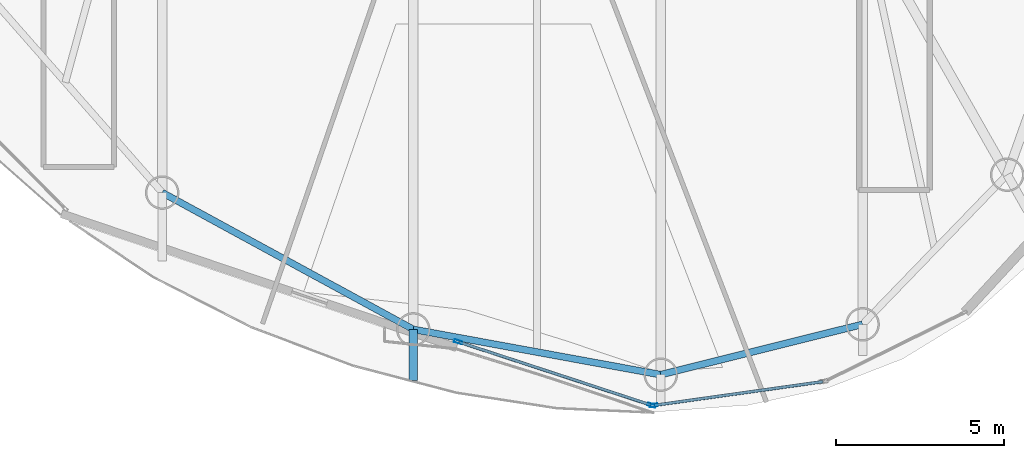
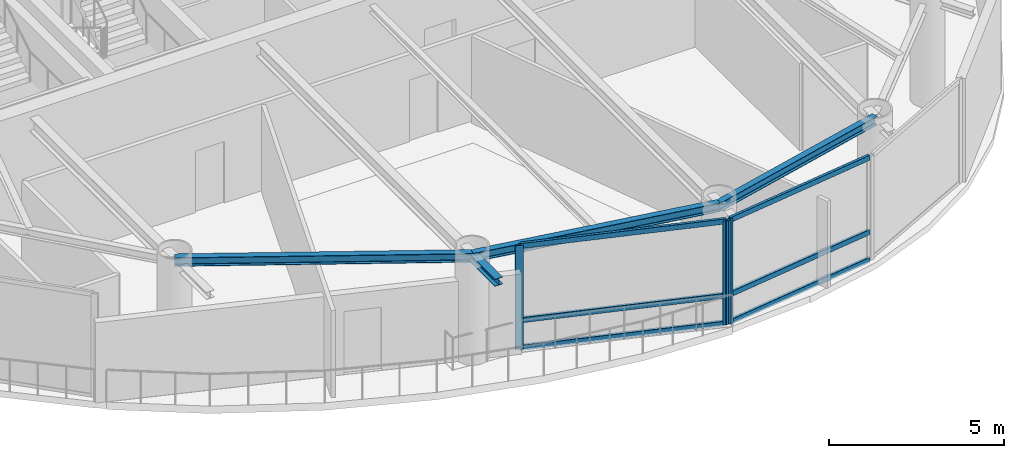
# One storey, part 3 of 20: 9 members, 4 beams, 2 elements without a shape of their own.
"""IFC4 building model written with IfcOpenShell, lengths in metres."""

from ifc_helpers import new_model, si_unit, direction, frame, origin, origin_2d, place, context, subcontext, project, spatial, hollow_rectangle, i_section, extrude, material, layer, layer_set, material_profile, profile_set, type_object, element, aggregate, save


model = new_model("IFC4")

# Units and contexts
model_context = context("Model", 3, precision=1e-05, world=origin(), true_north=direction((0.0, 1.0)))
body_context = subcontext(model_context, "Body", "Model", "MODEL_VIEW")
ifc_project = project(units=[si_unit("LENGTHUNIT", "METRE"), si_unit("AREAUNIT", "SQUARE_METRE"), si_unit("VOLUMEUNIT", "CUBIC_METRE"), si_unit("PLANEANGLEUNIT", "RADIAN"), si_unit("MASSUNIT", "GRAM", prefix="KILO")], contexts=[model_context])

# Site, building, storey
site_placement = place(None, origin())
site = spatial("IfcSite", under=ifc_project, at=site_placement, CompositionType="ELEMENT")
building_placement = place(site_placement, origin())
building = spatial("IfcBuilding", under=site, at=building_placement, Name="Bramvorn Convention Spire", CompositionType="ELEMENT")
storey_placement = place(building_placement, frame((0.0, 0.0, 245.89990234375)))
storey = spatial("IfcBuildingStorey", under=building, at=storey_placement, Name="L62", CompositionType="ELEMENT", Elevation=245.89990234375)

# Beams
ifc_material_1 = material(Name="Steel CSA G40.21 Grade 350 (350W)", Category="steel")
ifc_material_profile_1 = material_profile(ifc_material_1, i_section(OverallWidth=0.25390625, OverallDepth=0.2529296875, WebThickness=0.008544921875, FlangeThickness=0.01416015625, FilletRadius=0.011962890625, at=origin_2d()))
ifc_profile_set_1 = profile_set([ifc_material_profile_1], Name="Steel CSA G40.21 Grade 350 (350W) - W250X73")
beam_type_1 = type_object("IfcBeamType", Name="BM-W250X73", PredefinedType="BEAM", material=ifc_profile_set_1)
beam_1_placement = place(storey_placement, frame((35.8154296875, 6.44921875, 3.49853515625), z_axis=(0.0, -1.0, 0.0), x_axis=(1.0, 0.0, 0.0)))
element("IfcBeam", 1, at=beam_1_placement, inside=storey, type_object=beam_type_1, Name="L62 slab-edge cantilever tip beam MC15", PredefinedType="BEAM", context=body_context, shape_type="SweptSolid", body=[
    extrude(i_section(OverallWidth=0.25390625, OverallDepth=0.2529296875, WebThickness=0.008544921875, FlangeThickness=0.01416015625, FilletRadius=0.011962890625, at=origin_2d()), origin(), (0.0, 0.0, 1.0), 1.525634765625),
])
ifc_material_profile_2 = material_profile(ifc_material_1, i_section(OverallWidth=0.202880859375, OverallDepth=0.302978515625, WebThickness=0.007568359375, FlangeThickness=0.01318359375, FilletRadius=0.013916015625, at=origin_2d()))
ifc_profile_set_2 = profile_set([ifc_material_profile_2], Name="Steel CSA G40.21 Grade 350 (350W) - W310X60")
beam_type_2 = type_object("IfcBeamType", Name="BM-W310X60", PredefinedType="JOIST", material=ifc_profile_set_2)
beam_2_placement = place(storey_placement, frame((28.337646484375, 10.523193359375, 3.4736328125), z_axis=(0.878133224771, -0.478416178189, 0.0), x_axis=(0.478416178189, 0.878133224771, 0.0)))
element("IfcBeam", 2, at=beam_2_placement, inside=storey, type_object=beam_type_2, Name="L62 mega-column ring beam 14", PredefinedType="JOIST", context=body_context, shape_type="SweptSolid", body=[
    extrude(i_section(OverallWidth=0.202880859375, OverallDepth=0.302978515625, WebThickness=0.007568359375, FlangeThickness=0.01318359375, FilletRadius=0.013916015625, at=origin_2d()), origin(), (0.0, 0.0, 1.0), 8.515625),
])
beam_3_placement = place(storey_placement, frame((35.8154296875, 6.44921875, 3.4736328125), z_axis=(0.983645049461, -0.180117785547, 0.0), x_axis=(0.180117785547, 0.983645049461, 0.0)))
element("IfcBeam", 3, at=beam_3_placement, inside=storey, type_object=beam_type_2, Name="L62 mega-column ring beam 15", PredefinedType="JOIST", context=body_context, shape_type="SweptSolid", body=[
    extrude(i_section(OverallWidth=0.202880859375, OverallDepth=0.302978515625, WebThickness=0.007568359375, FlangeThickness=0.01318359375, FilletRadius=0.013916015625, at=origin_2d()), origin(), (0.0, 0.0, 1.0), 7.49560546875),
])
beam_4_placement = place(storey_placement, frame((43.1884765625, 5.09912109375, 3.4736328125), z_axis=(0.970177255997, 0.24239655927, 0.0), x_axis=(-0.24239655927, 0.970177255997, 0.0)))
element("IfcBeam", 4, at=beam_4_placement, inside=storey, type_object=beam_type_2, Name="L62 mega-column ring beam 16", PredefinedType="JOIST", context=body_context, shape_type="SweptSolid", body=[
    extrude(i_section(OverallWidth=0.202880859375, OverallDepth=0.302978515625, WebThickness=0.007568359375, FlangeThickness=0.01318359375, FilletRadius=0.013916015625, at=origin_2d()), origin(), (0.0, 0.0, 1.0), 6.1962890625),
])

# Curtain wall, members
ifc_material_2 = material(Name="Anodised Bronze Unitised Curtain Wall", Category="aluminium")
ifc_layer = layer(ifc_material_2, 0.219970703125)
ifc_layer_set = layer_set([ifc_layer], Name="Anodised Bronze Unitised Curtain Wall - CW-SKYGARDEN")
curtain_wall_type = type_object("IfcCurtainWallType", Name="CW-SKYGARDEN", PredefinedType="USERDEFINED", material=ifc_layer_set)
curtain_wall_1_placement = place(storey_placement, origin())
curtain_wall_1 = element("IfcCurtainWall", 5, at=curtain_wall_1_placement, inside=storey, type_object=curtain_wall_type, Name="L62 Sky Garden glazed facade 22", ObjectType="WINTER GARDEN GLAZING", PredefinedType="USERDEFINED")
ifc_material_3 = material(Name="Anodised Bronze Aluminium 6063-T6", Category="aluminium")
ifc_material_profile_3 = material_profile(ifc_material_3, hollow_rectangle(XDim=0.090087890625, YDim=0.239990234375, WallThickness=0.00439453125, InnerFilletRadius=0.0009765625, OuterFilletRadius=0.00439453125, at=origin_2d()))
ifc_profile_set_3 = profile_set([ifc_material_profile_3], Name="Anodised Bronze Aluminium 6063-T6 - CWM90X240")
member_type_1 = type_object("IfcMemberType", Name="CW-MUL-220", PredefinedType="MULLION", material=ifc_profile_set_3)
member_1_placement = place(storey_placement, frame((42.91650390625, 4.1904296875, 0.0), z_axis=(0.0, 0.0, 1.0), x_axis=(-0.311619788282, -0.950206876186, 0.0)))
member_1 = element("IfcMember", 6, at=member_1_placement, type_object=member_type_1, Name="CW4 mullion 1", PredefinedType="MULLION", context=body_context, shape_type="SweptSolid", body=[
    extrude(hollow_rectangle(XDim=0.090087890625, YDim=0.239990234375, WallThickness=0.00439453125, InnerFilletRadius=0.0009765625, OuterFilletRadius=0.00439453125, at=origin_2d()), origin(), (0.0, 0.0, 1.0), 3.625),
])
member_2_placement = place(storey_placement, frame((37.15380859375, 6.080322265625, 0.0), z_axis=(0.0, 0.0, 1.0), x_axis=(-0.311619788282, -0.950206876186, 0.0)))
member_2 = element("IfcMember", 7, at=member_2_placement, type_object=member_type_1, Name="CW4 mullion 2", PredefinedType="MULLION", context=body_context, shape_type="SweptSolid", body=[
    extrude(hollow_rectangle(XDim=0.090087890625, YDim=0.239990234375, WallThickness=0.00439453125, InnerFilletRadius=0.0009765625, OuterFilletRadius=0.00439453125, at=origin_2d()), origin(), (0.0, 0.0, 1.0), 3.625),
])

# Curtain wall, member
curtain_wall_2_placement = place(storey_placement, origin())
curtain_wall_2 = element("IfcCurtainWall", 8, at=curtain_wall_2_placement, inside=storey, type_object=curtain_wall_type, Name="L62 Sky Garden glazed facade 23", ObjectType="WINTER GARDEN GLAZING", PredefinedType="USERDEFINED")
member_3_placement = place(storey_placement, frame((42.974853515625, 4.185302734375, 0.0), z_axis=(0.0, 0.0, 1.0), x_axis=(0.139077324534, -0.990281524517, 0.0)))
member_3 = element("IfcMember", 9, at=member_3_placement, type_object=member_type_1, Name="CW4 mullion 2", PredefinedType="MULLION", context=body_context, shape_type="SweptSolid", body=[
    extrude(hollow_rectangle(XDim=0.090087890625, YDim=0.239990234375, WallThickness=0.00439453125, InnerFilletRadius=0.0009765625, OuterFilletRadius=0.00439453125, at=origin_2d()), origin(), (0.0, 0.0, 1.0), 3.625),
])

# Member
ifc_material_profile_4 = material_profile(ifc_material_3, hollow_rectangle(XDim=0.090087890625, YDim=0.179931640625, WallThickness=0.00439453125, InnerFilletRadius=0.0009765625, OuterFilletRadius=0.00439453125, at=origin_2d()))
ifc_profile_set_4 = profile_set([ifc_material_profile_4], Name="Anodised Bronze Aluminium 6063-T6 - CWT90X180")
member_type_2 = type_object("IfcMemberType", Name="CW-TRN-180", PredefinedType="USERDEFINED", material=ifc_profile_set_4)
member_4_placement = place(storey_placement, frame((42.88818359375, 4.19970703125, 0.030029296875), z_axis=(-0.950200925934, 0.311637931508, 0.0), x_axis=(-0.311637931508, -0.950200925934, 0.0)))
member_4 = element("IfcMember", 10, at=member_4_placement, type_object=member_type_2, Name="CW4 transom 1.1", ObjectType="TRANSOM", PredefinedType="USERDEFINED", context=body_context, shape_type="SweptSolid", body=[
    extrude(hollow_rectangle(XDim=0.090087890625, YDim=0.179931640625, WallThickness=0.00439453125, InnerFilletRadius=0.0009765625, OuterFilletRadius=0.00439453125, at=origin_2d()), origin(), (0.0, 0.0, 1.0), 6.0048828125),
])

member_5_placement = place(storey_placement, frame((42.88818359375, 4.19970703125, 1.0), z_axis=(-0.950200925934, 0.311637931508, 0.0), x_axis=(-0.311637931508, -0.950200925934, 0.0)))
member_5 = element("IfcMember", 11, at=member_5_placement, type_object=member_type_2, Name="CW4 transom 1.2", ObjectType="TRANSOM", PredefinedType="USERDEFINED", context=body_context, shape_type="SweptSolid", body=[
    extrude(hollow_rectangle(XDim=0.090087890625, YDim=0.179931640625, WallThickness=0.00439453125, InnerFilletRadius=0.0009765625, OuterFilletRadius=0.00439453125, at=origin_2d()), origin(), (0.0, 0.0, 1.0), 6.0048828125),
])

member_6_placement = place(storey_placement, frame((42.88818359375, 4.19970703125, 3.59521484375), z_axis=(-0.950200925934, 0.311637931508, 0.0), x_axis=(-0.311637931508, -0.950200925934, 0.0)))
member_6 = element("IfcMember", 12, at=member_6_placement, type_object=member_type_2, Name="CW4 transom 1.3", ObjectType="TRANSOM", PredefinedType="USERDEFINED", context=body_context, shape_type="SweptSolid", body=[
    extrude(hollow_rectangle(XDim=0.090087890625, YDim=0.179931640625, WallThickness=0.00439453125, InnerFilletRadius=0.0009765625, OuterFilletRadius=0.00439453125, at=origin_2d()), origin(), (0.0, 0.0, 1.0), 6.0048828125),
])

aggregate(curtain_wall_1, [member_1, member_2, member_4, member_5, member_6])

member_7_placement = place(storey_placement, frame((48.014404296875, 4.89306640625, 0.030029296875), z_axis=(-0.990280687849, -0.139083281792, 0.0), x_axis=(0.139083281792, -0.990280687849, 0.0)))
member_7 = element("IfcMember", 13, at=member_7_placement, type_object=member_type_2, Name="CW4 transom 1.1", ObjectType="TRANSOM", PredefinedType="USERDEFINED", context=body_context, shape_type="SweptSolid", body=[
    extrude(hollow_rectangle(XDim=0.090087890625, YDim=0.179931640625, WallThickness=0.00439453125, InnerFilletRadius=0.0009765625, OuterFilletRadius=0.00439453125, at=origin_2d()), origin(), (0.0, 0.0, 1.0), 5.058837890625),
])

member_8_placement = place(storey_placement, frame((48.014404296875, 4.89306640625, 1.0), z_axis=(-0.990280687849, -0.139083281792, 0.0), x_axis=(0.139083281792, -0.990280687849, 0.0)))
member_8 = element("IfcMember", 14, at=member_8_placement, type_object=member_type_2, Name="CW4 transom 1.2", ObjectType="TRANSOM", PredefinedType="USERDEFINED", context=body_context, shape_type="SweptSolid", body=[
    extrude(hollow_rectangle(XDim=0.090087890625, YDim=0.179931640625, WallThickness=0.00439453125, InnerFilletRadius=0.0009765625, OuterFilletRadius=0.00439453125, at=origin_2d()), origin(), (0.0, 0.0, 1.0), 5.058837890625),
])

member_9_placement = place(storey_placement, frame((48.014404296875, 4.89306640625, 3.59521484375), z_axis=(-0.990280687849, -0.139083281792, 0.0), x_axis=(0.139083281792, -0.990280687849, 0.0)))
member_9 = element("IfcMember", 15, at=member_9_placement, type_object=member_type_2, Name="CW4 transom 1.3", ObjectType="TRANSOM", PredefinedType="USERDEFINED", context=body_context, shape_type="SweptSolid", body=[
    extrude(hollow_rectangle(XDim=0.090087890625, YDim=0.179931640625, WallThickness=0.00439453125, InnerFilletRadius=0.0009765625, OuterFilletRadius=0.00439453125, at=origin_2d()), origin(), (0.0, 0.0, 1.0), 5.058837890625),
])

aggregate(curtain_wall_2, [member_3, member_7, member_8, member_9])

save(model, "model.ifc")
